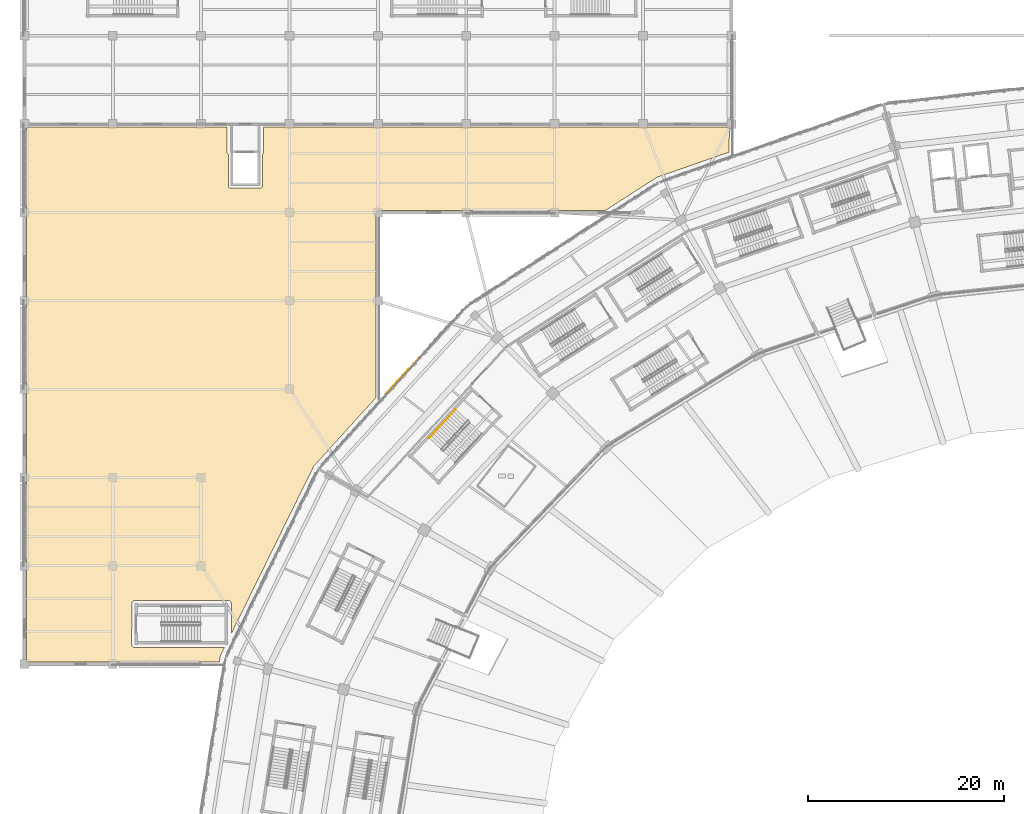
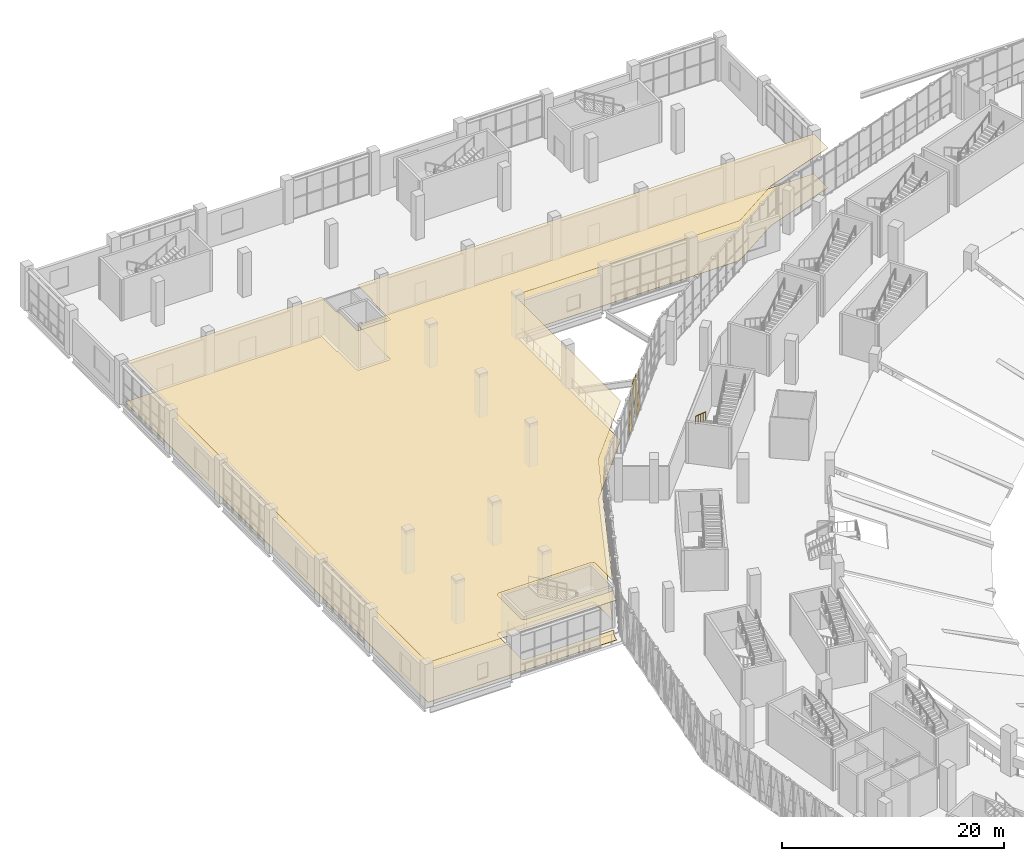
# One storey, part 159 of 183: 5 coverings, 1 railing.
"""IFC4 building model written with IfcOpenShell, lengths in metres."""

from ifc_helpers import new_model, si_unit, direction, frame, origin, origin_2d, place, context, subcontext, project, spatial, polyline, circle, outline, extrude, material, layer, layer_set, type_object, element, save


model = new_model("IFC4")

# Units and contexts
model_context = context("Model", 3, precision=1e-05, world=origin(), true_north=direction((0.0, 1.0)))
body_context = subcontext(model_context, "Body", "Model", "MODEL_VIEW")
ifc_project = project(units=[si_unit("LENGTHUNIT", "METRE"), si_unit("AREAUNIT", "SQUARE_METRE"), si_unit("VOLUMEUNIT", "CUBIC_METRE"), si_unit("PLANEANGLEUNIT", "RADIAN"), si_unit("MASSUNIT", "GRAM", prefix="KILO")], contexts=[model_context])

# Site, building, storey
site_placement = place(None, origin())
site = spatial("IfcSite", under=ifc_project, at=site_placement, CompositionType="ELEMENT")
building_placement = place(site_placement, origin())
building = spatial("IfcBuilding", under=site, at=building_placement, Name="Zevraka Park Crest Stadium", CompositionType="ELEMENT")
storey_placement = place(building_placement, frame((0.0, 0.0, 5.39990234375)))
storey = spatial("IfcBuildingStorey", under=building, at=storey_placement, Name="L01", CompositionType="ELEMENT", Elevation=5.39990234375)

# Coverings
ifc_material_1 = material(Name="Architectural golden-bronze perforated aluminium", Category="aluminium")
ifc_layer_1 = layer(ifc_material_1, 0.034912109375)
ifc_layer_set_1 = layer_set([ifc_layer_1], Name="Architectural golden-bronze perforated aluminium")
covering_type_1 = type_object("IfcCoveringType", Name="CLD01", PredefinedType="CLADDING", material=ifc_layer_set_1)
covering_1_placement = place(storey_placement, frame((40.159912109375, 143.155029296875, -0.260009765625), z_axis=(-0.739257935755, 0.673422381884, 0.0), x_axis=(-0.673422381884, -0.739257935755, 0.0)))
element("IfcCovering", 1, at=covering_1_placement, inside=storey, type_object=covering_type_1, Name="Triangular Golden-Bronze Perforated Cladding L01-09-5", PredefinedType="CLADDING", context=body_context, shape_type="SweptSolid", body=[
    extrude(outline(polyline([(0.0, 0.0), (1.4907527237079923, 0.0), (0.7453763618539961, 4.60009765625), (0.0, 0.0)])), origin(), (0.0, 0.0, -1.0), 0.034912109375),
])
covering_2_placement = place(storey_placement, frame((38.04296875, 140.8330078125, 4.5), z_axis=(0.738850373217, -0.673869514075, 6.3221652e-05), x_axis=(0.673869515422, 0.738850374694, 0.0)))
element("IfcCovering", 2, at=covering_2_placement, inside=storey, type_object=covering_type_1, Name="Triangular Golden-Bronze Perforated Cladding L01-09-6", PredefinedType="CLADDING", context=body_context, shape_type="SweptSolid", body=[
    extrude(outline(polyline([(0.0, 0.0), (1.4915750454979064, 0.0), (0.7460343011359485, -4.279785164803103), (0.0, 0.0)])), origin(), (0.0, 0.0, -1.0), 0.034912109375),
])
covering_3_placement = place(storey_placement, frame((37.93603515625, 140.714111328125, -0.260009765625), z_axis=(0.738552844607, -0.67419557899, 0.000130358796), x_axis=(-0.674195584719, -0.738552850882, 0.0)))
element("IfcCovering", 3, at=covering_3_placement, inside=storey, type_object=covering_type_1, Name="Triangular Golden-Bronze Perforated Cladding L01-09-7", PredefinedType="CLADDING", context=body_context, shape_type="SweptSolid", body=[
    extrude(outline(polyline([(0.0, 0.0), (1.490853657169029, 1.3552527156068805e-20), (0.7453131048724331, -4.600097695335686), (0.0, 0.0)])), origin(), (0.0, 0.0, -1.0), 0.034912109375),
])
ifc_material_2 = material(Name="Perforated acoustic mineral-fibre suspended ceiling", Category="other")
ifc_layer_2 = layer(ifc_material_2, 0.02490234375)
ifc_layer_set_2 = layer_set([ifc_layer_2], Name="Perforated acoustic mineral-fibre suspended ceiling")
covering_type_2 = type_object("IfcCoveringType", Name="CLG01", PredefinedType="CEILING", material=ifc_layer_set_2)
covering_4_placement = place(storey_placement, frame((0.0, 0.0, 4.380126953125)))
element("IfcCovering", 4, at=covering_4_placement, inside=storey, type_object=covering_type_2, Name="Acoustic Ceiling Sports Heritage Exhibition Gallery L01-054", PredefinedType="CEILING", context=body_context, shape_type="SweptSolid", body=[
    extrude(outline(polyline([(20.3779296875, 113.678955078125), (19.965087890625, 112.8369140625), (19.9580078125, 112.819091796875), (19.951904296875, 112.801025390625), (19.947998046875, 112.781982421875), (19.85302734375, 112.219970703125), (0.22998046875, 112.2080078125), (0.2080078125, 166.675048828125), (20.64990234375, 166.699951171875), (20.64990234375, 164.090087890625), (20.65087890625, 164.071044921875), (20.654052734375, 164.052001953125), (20.657958984375, 164.032958984375), (20.6650390625, 164.014892578125), (20.673095703125, 163.998046875), (20.681884765625, 163.98095703125), (20.694091796875, 163.965087890625), (20.7060546875, 163.950927734375), (20.719970703125, 163.93798828125), (20.735107421875, 163.926025390625), (20.751953125, 163.916015625), (20.76904296875, 163.906982421875), (20.77001953125, 163.906982421875), (20.77001953125, 160.669921875), (20.77099609375, 160.64990234375), (20.77392578125, 160.631103515625), (20.779052734375, 160.612060546875), (20.784912109375, 160.593017578125), (20.7939453125, 160.575927734375), (20.803955078125, 160.55908203125), (20.81494140625, 160.54296875), (20.8291015625, 160.529052734375), (20.843017578125, 160.514892578125), (20.85888671875, 160.50390625), (20.8759765625, 160.493896484375), (20.89306640625, 160.485107421875), (20.912109375, 160.47900390625), (20.930908203125, 160.47412109375), (20.949951171875, 160.470947265625), (20.969970703125, 160.469970703125), (24.030029296875, 160.469970703125), (24.050048828125, 160.470947265625), (24.069091796875, 160.47412109375), (24.087890625, 160.47900390625), (24.10693359375, 160.485107421875), (24.1240234375, 160.493896484375), (24.14111328125, 160.50390625), (24.156982421875, 160.514892578125), (24.1708984375, 160.529052734375), (24.18505859375, 160.54296875), (24.196044921875, 160.55908203125), (24.2060546875, 160.575927734375), (24.215087890625, 160.593017578125), (24.220947265625, 160.612060546875), (24.22607421875, 160.631103515625), (24.22900390625, 160.64990234375), (24.22998046875, 160.669921875), (24.22998046875, 163.906982421875), (24.23095703125, 163.906982421875), (24.248046875, 163.916015625), (24.264892578125, 163.926025390625), (24.280029296875, 163.93798828125), (24.2939453125, 163.950927734375), (24.305908203125, 163.965087890625), (24.318115234375, 163.98095703125), (24.326904296875, 163.998046875), (24.3349609375, 164.014892578125), (24.342041015625, 164.032958984375), (24.345947265625, 164.052001953125), (24.34912109375, 164.071044921875), (24.35009765625, 164.090087890625), (24.35009765625, 166.699951171875), (71.7939453125, 166.699951171875), (71.779052734375, 164.14306640625), (64.4130859375, 161.572021484375), (64.39111328125, 161.56298828125), (64.37109375, 161.551025390625), (59.181884765625, 158.20703125), (36.175048828125, 158.205078125), (36.152099609375, 158.2041015625), (36.1298828125, 158.199951171875), (36.10791015625, 158.194091796875), (35.9951171875, 158.154052734375), (35.97705078125, 158.14599609375), (35.9599609375, 158.136962890625), (35.943115234375, 158.1259765625), (35.927978515625, 158.114013671875), (35.9140625, 158.10009765625), (35.902099609375, 158.0849609375), (35.89111328125, 158.069091796875), (35.882080078125, 158.051025390625), (35.81494140625, 157.910888671875), (35.80810546875, 157.89501953125), (35.802001953125, 157.8779296875), (35.798095703125, 157.861083984375), (35.7958984375, 157.843017578125), (35.794921875, 157.824951171875), (35.7919921875, 139.10888671875), (29.492919921875, 132.18408203125), (29.48095703125, 132.1689453125), (29.470947265625, 132.154052734375), (29.4619140625, 132.136962890625), (21.070068359375, 115.0869140625), (21.070068359375, 118.159912109375), (21.069091796875, 118.179931640625), (21.06591796875, 118.198974609375), (21.06103515625, 118.218994140625), (21.054931640625, 118.237060546875), (21.0458984375, 118.2548828125), (21.035888671875, 118.27197265625), (20.9609375, 118.383056640625), (20.948974609375, 118.39892578125), (20.93603515625, 118.4130859375), (20.9208984375, 118.426025390625), (20.906005859375, 118.43798828125), (20.888916015625, 118.447998046875), (20.87109375, 118.4560546875), (20.85302734375, 118.4619140625), (20.833984375, 118.467041015625), (20.81494140625, 118.469970703125), (20.794921875, 118.470947265625), (11.25, 118.47998046875), (11.22900390625, 118.47900390625), (11.2080078125, 118.47607421875), (11.18798828125, 118.469970703125), (11.16796875, 118.462890625), (11.14990234375, 118.452880859375), (11.132080078125, 118.44189453125), (11.01708984375, 118.35791015625), (11.001953125, 118.345947265625), (10.989013671875, 118.3330078125), (10.97705078125, 118.318115234375), (10.966064453125, 118.302978515625), (10.95703125, 118.287109375), (10.948974609375, 118.27001953125), (10.943115234375, 118.251953125), (10.93896484375, 118.23388671875), (10.93603515625, 118.215087890625), (10.93505859375, 118.196044921875), (10.929931640625, 114.0), (10.930908203125, 113.98095703125), (10.93408203125, 113.9609375), (10.93896484375, 113.94189453125), (10.945068359375, 113.923095703125), (10.9541015625, 113.906005859375), (11.007080078125, 113.806884765625), (11.01708984375, 113.7900390625), (11.028076171875, 113.77392578125), (11.0419921875, 113.760009765625), (11.055908203125, 113.74609375), (11.072021484375, 113.735107421875), (11.089111328125, 113.72509765625), (11.10595703125, 113.716064453125), (11.125, 113.7099609375), (11.14404296875, 113.705078125), (11.1630859375, 113.701904296875), (11.18310546875, 113.700927734375), (20.3779296875, 113.678955078125)])), origin(), (0.0, 0.0, 1.0), 0.02490234375),
])
ifc_material_3 = material(Name="Honed terrazzo and slip-resistant sports flooring", Category="other")
ifc_layer_3 = layer(ifc_material_3, 0.0400390625)
ifc_layer_set_3 = layer_set([ifc_layer_3], Name="Honed terrazzo and slip-resistant sports flooring")
covering_type_3 = type_object("IfcCoveringType", Name="FLR01", PredefinedType="FLOORING", material=ifc_layer_set_3)
covering_5_placement = place(storey_placement, origin())
element("IfcCovering", 5, at=covering_5_placement, inside=storey, type_object=covering_type_3, Name="Terrazzo Floor Finish Sports Heritage Exhibition Gallery L01-054", PredefinedType="FLOORING", context=body_context, shape_type="SweptSolid", body=[
    extrude(outline(polyline([(20.3779296875, 113.678955078125), (19.965087890625, 112.8369140625), (19.9580078125, 112.819091796875), (19.951904296875, 112.801025390625), (19.947998046875, 112.781982421875), (19.85302734375, 112.219970703125), (0.22998046875, 112.2080078125), (0.2080078125, 166.675048828125), (20.64990234375, 166.699951171875), (20.64990234375, 164.090087890625), (20.65087890625, 164.071044921875), (20.654052734375, 164.052001953125), (20.657958984375, 164.032958984375), (20.6650390625, 164.014892578125), (20.673095703125, 163.998046875), (20.681884765625, 163.98095703125), (20.694091796875, 163.965087890625), (20.7060546875, 163.950927734375), (20.719970703125, 163.93798828125), (20.735107421875, 163.926025390625), (20.751953125, 163.916015625), (20.76904296875, 163.906982421875), (20.77001953125, 163.906982421875), (20.77001953125, 160.669921875), (20.77099609375, 160.64990234375), (20.77392578125, 160.631103515625), (20.779052734375, 160.612060546875), (20.784912109375, 160.593017578125), (20.7939453125, 160.575927734375), (20.803955078125, 160.55908203125), (20.81494140625, 160.54296875), (20.8291015625, 160.529052734375), (20.843017578125, 160.514892578125), (20.85888671875, 160.50390625), (20.8759765625, 160.493896484375), (20.89306640625, 160.485107421875), (20.912109375, 160.47900390625), (20.930908203125, 160.47412109375), (20.949951171875, 160.470947265625), (20.969970703125, 160.469970703125), (24.030029296875, 160.469970703125), (24.050048828125, 160.470947265625), (24.069091796875, 160.47412109375), (24.087890625, 160.47900390625), (24.10693359375, 160.485107421875), (24.1240234375, 160.493896484375), (24.14111328125, 160.50390625), (24.156982421875, 160.514892578125), (24.1708984375, 160.529052734375), (24.18505859375, 160.54296875), (24.196044921875, 160.55908203125), (24.2060546875, 160.575927734375), (24.215087890625, 160.593017578125), (24.220947265625, 160.612060546875), (24.22607421875, 160.631103515625), (24.22900390625, 160.64990234375), (24.22998046875, 160.669921875), (24.22998046875, 163.906982421875), (24.23095703125, 163.906982421875), (24.248046875, 163.916015625), (24.264892578125, 163.926025390625), (24.280029296875, 163.93798828125), (24.2939453125, 163.950927734375), (24.305908203125, 163.965087890625), (24.318115234375, 163.98095703125), (24.326904296875, 163.998046875), (24.3349609375, 164.014892578125), (24.342041015625, 164.032958984375), (24.345947265625, 164.052001953125), (24.34912109375, 164.071044921875), (24.35009765625, 164.090087890625), (24.35009765625, 166.699951171875), (71.7939453125, 166.699951171875), (71.779052734375, 164.14306640625), (64.4130859375, 161.572021484375), (64.39111328125, 161.56298828125), (64.37109375, 161.551025390625), (59.181884765625, 158.20703125), (36.175048828125, 158.205078125), (36.152099609375, 158.2041015625), (36.1298828125, 158.199951171875), (36.10791015625, 158.194091796875), (35.9951171875, 158.154052734375), (35.97705078125, 158.14599609375), (35.9599609375, 158.136962890625), (35.943115234375, 158.1259765625), (35.927978515625, 158.114013671875), (35.9140625, 158.10009765625), (35.902099609375, 158.0849609375), (35.89111328125, 158.069091796875), (35.882080078125, 158.051025390625), (35.81494140625, 157.910888671875), (35.80810546875, 157.89501953125), (35.802001953125, 157.8779296875), (35.798095703125, 157.861083984375), (35.7958984375, 157.843017578125), (35.794921875, 157.824951171875), (35.7919921875, 139.10888671875), (29.492919921875, 132.18408203125), (29.48095703125, 132.1689453125), (29.470947265625, 132.154052734375), (29.4619140625, 132.136962890625), (21.070068359375, 115.0869140625), (21.070068359375, 118.159912109375), (21.069091796875, 118.179931640625), (21.06591796875, 118.198974609375), (21.06103515625, 118.218994140625), (21.054931640625, 118.237060546875), (21.0458984375, 118.2548828125), (21.035888671875, 118.27197265625), (20.9609375, 118.383056640625), (20.948974609375, 118.39892578125), (20.93603515625, 118.4130859375), (20.9208984375, 118.426025390625), (20.906005859375, 118.43798828125), (20.888916015625, 118.447998046875), (20.87109375, 118.4560546875), (20.85302734375, 118.4619140625), (20.833984375, 118.467041015625), (20.81494140625, 118.469970703125), (20.794921875, 118.470947265625), (11.25, 118.47998046875), (11.22900390625, 118.47900390625), (11.2080078125, 118.47607421875), (11.18798828125, 118.469970703125), (11.16796875, 118.462890625), (11.14990234375, 118.452880859375), (11.132080078125, 118.44189453125), (11.01708984375, 118.35791015625), (11.001953125, 118.345947265625), (10.989013671875, 118.3330078125), (10.97705078125, 118.318115234375), (10.966064453125, 118.302978515625), (10.95703125, 118.287109375), (10.948974609375, 118.27001953125), (10.943115234375, 118.251953125), (10.93896484375, 118.23388671875), (10.93603515625, 118.215087890625), (10.93505859375, 118.196044921875), (10.929931640625, 114.0), (10.930908203125, 113.98095703125), (10.93408203125, 113.9609375), (10.93896484375, 113.94189453125), (10.945068359375, 113.923095703125), (10.9541015625, 113.906005859375), (11.007080078125, 113.806884765625), (11.01708984375, 113.7900390625), (11.028076171875, 113.77392578125), (11.0419921875, 113.760009765625), (11.055908203125, 113.74609375), (11.072021484375, 113.735107421875), (11.089111328125, 113.72509765625), (11.10595703125, 113.716064453125), (11.125, 113.7099609375), (11.14404296875, 113.705078125), (11.1630859375, 113.701904296875), (11.18310546875, 113.700927734375), (20.3779296875, 113.678955078125)])), origin(), (0.0, 0.0, 1.0), 0.0400390625),
])

# Railing
ifc_material_4 = material(Name="Brushed stainless steel continuous handrail", Category="steel")
railing_type = type_object("IfcRailingType", Name="HR01", PredefinedType="HANDRAIL", material=ifc_material_4)
railing_placement = place(storey_placement, frame((43.9189453125, 137.943603515625, 0.171630859375)))
element("IfcRailing", 6, at=railing_placement, inside=storey, type_object=railing_type, Name="L01 ST10 stair handrail 1", PredefinedType="HANDRAIL", context=body_context, shape_type="SweptSolid", body=[
    extrude(circle(Radius=0.02392578125, at=origin_2d()), frame((0.0, 0.0, 0.8759765625), z_axis=(-0.593016024023, -0.638962957094, 0.489957482557), x_axis=(0.732968909084, -0.680262139412, 0.0)), (0.0, 0.0, 1.0), 4.54833984375),
    extrude(circle(Radius=0.02099609375, at=origin_2d()), origin(), (0.0, 0.0, 1.0), 0.851806640625),
    extrude(circle(Radius=0.02099609375, at=origin_2d()), frame((-0.67431640625, -0.7265625, 0.55712890625)), (0.0, 0.0, 1.0), 0.851806640625),
    extrude(circle(Radius=0.02099609375, at=origin_2d()), frame((-1.3486328125, -1.453125, 1.1142578125)), (0.0, 0.0, 1.0), 0.851806640625),
    extrude(circle(Radius=0.02099609375, at=origin_2d()), frame((-2.02294921875, -2.1796875, 1.67138671875)), (0.0, 0.0, 1.0), 0.851806640625),
    extrude(circle(Radius=0.02099609375, at=origin_2d()), frame((-2.697265625, -2.90625, 2.228515625)), (0.0, 0.0, 1.0), 0.851806640625),
])

save(model, "model.ifc")
